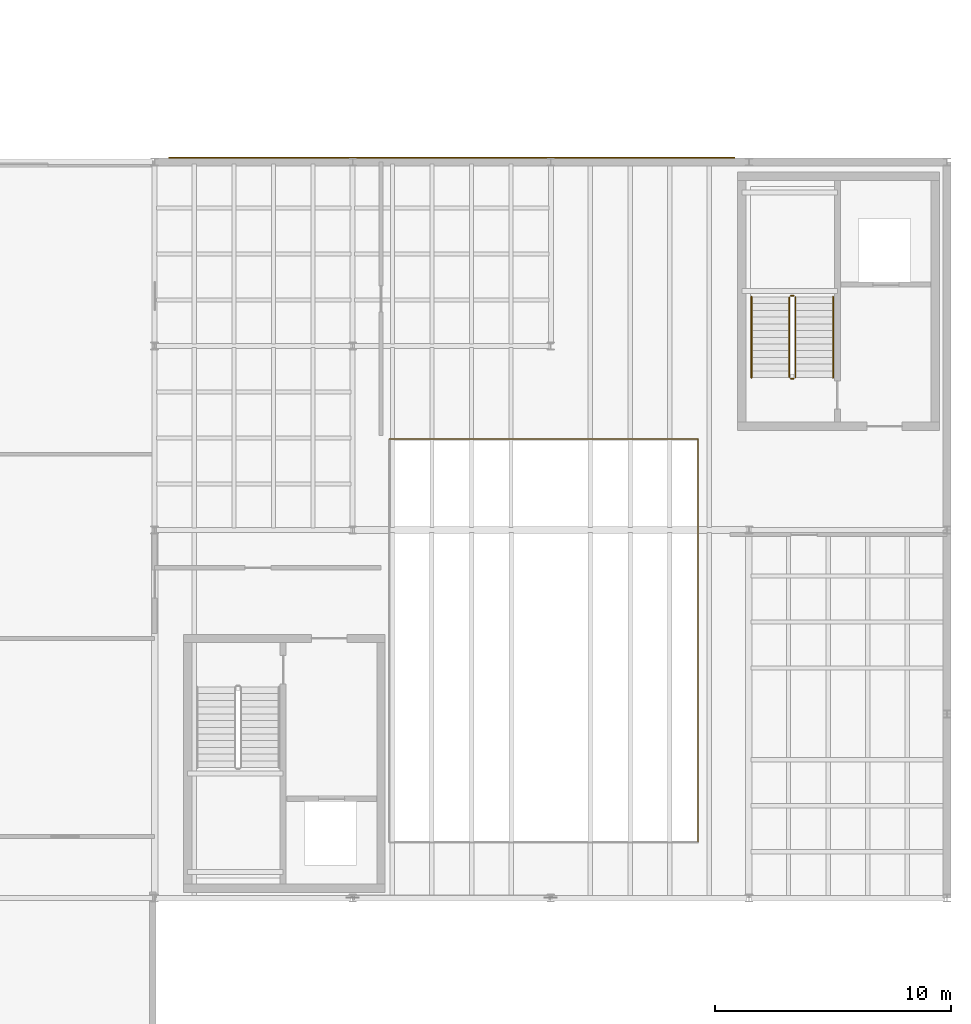
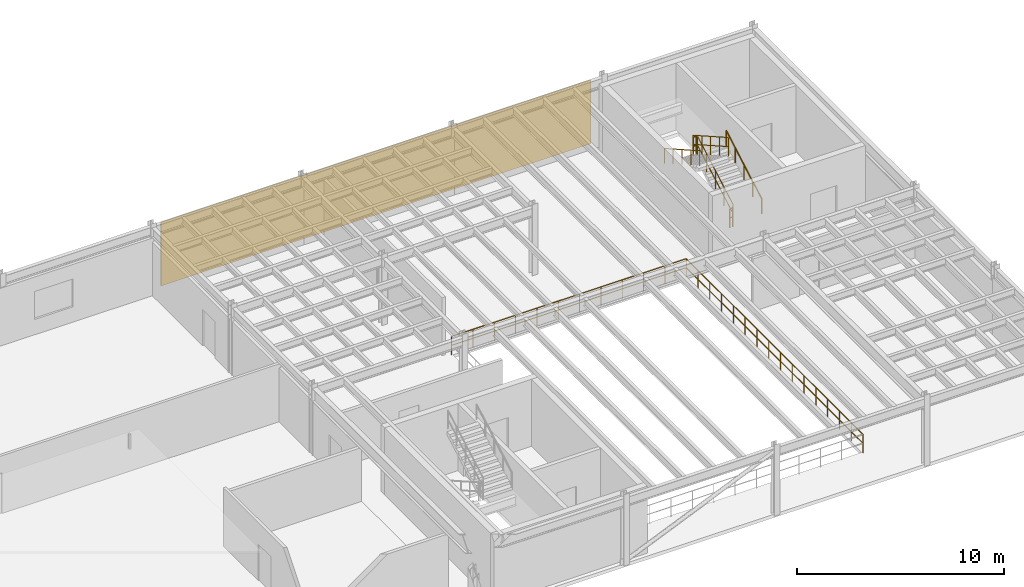
# One storey, part 26 of 26: 8 railings, 1 covering.
"""IFC4 building model written with IfcOpenShell, lengths in metres."""

import ifcopenshell
import ifcopenshell.guid

model = None  # the IFC model being written
_history = None  # IfcOwnerHistory: only IFC2X3 demands one
_inside = {}  # id of a spatial element -> (the spatial element, [elements in it])
_under = {}  # id of a project, library or spatial element -> (it, [spatial elements below it])
_declared = {}  # id of a project -> (the project, [libraries it declares])
_typed = {}  # id of a type object -> (the type object, [elements of that type])
_made_of = {}  # id of a material, layer set ... -> (it, [elements and type objects made of it])


def new_model(schema):
    """Start an empty IFC model of exactly this schema.

    Asked for "IFC4X3", IfcOpenShell would pick the latest addendum, in which some entities
    have other attributes; the version numbers below select the first issue.
    IFC2X3 requires an IfcOwnerHistory on every rooted entity: one is made here for all.
    """
    global model, _history
    if schema == "IFC4X3":
        model = ifcopenshell.file(schema_version=(4, 3, 0, 0))
    else:
        model = ifcopenshell.file(schema=schema)
    _inside.clear()
    _under.clear()
    _declared.clear()
    _typed.clear()
    _made_of.clear()
    _history = None
    if model.schema == "IFC2X3":
        org = make("IfcOrganization", Name="unknown")
        user = make(
            "IfcPersonAndOrganization",
            ThePerson=make("IfcPerson", FamilyName="unknown"),
            TheOrganization=org,
        )
        app = make(
            "IfcApplication",
            ApplicationDeveloper=org,
            Version="unknown",
            ApplicationFullName="unknown",
            ApplicationIdentifier="unknown",
        )
        _history = make(
            "IfcOwnerHistory",
            OwningUser=user,
            OwningApplication=app,
            ChangeAction="ADDED",
            CreationDate=0,
        )
    return model


def make(cls, **values):
    """One entity of the class cls with the attributes given. An attribute that is None is left unset."""
    return model.create_entity(
        cls, **{name: value for name, value in values.items() if value is not None}
    )


def rooted(cls, **values):
    """An entity with a GlobalId (a new one), such as an element, a storey or a relation."""
    return make(cls, GlobalId=ifcopenshell.guid.new(), OwnerHistory=_history, **values)


def si_unit(unit_type, name, prefix=None):
    """IfcSIUnit, for example si_unit("LENGTHUNIT", "METRE", prefix="MILLI")."""
    return make("IfcSIUnit", UnitType=unit_type, Prefix=prefix, Name=name)


def assignment(units):
    """IfcUnitAssignment: the units of a project."""
    return None if units is None else make("IfcUnitAssignment", Units=units)


def point(xyz):
    """IfcCartesianPoint."""
    return None if xyz is None else make("IfcCartesianPoint", Coordinates=xyz)


def direction(xyz):
    """IfcDirection."""
    return None if xyz is None else make("IfcDirection", DirectionRatios=xyz)


def frame(location, z_axis=None, x_axis=None):
    """IfcAxis2Placement3D, a coordinate frame: its origin and axes. An axis left out is left unset."""
    return make(
        "IfcAxis2Placement3D",
        Location=point(location),
        Axis=direction(z_axis),
        RefDirection=direction(x_axis),
    )


def frame_2d(location, x_axis=None):
    """IfcAxis2Placement2D, a coordinate frame in the plane: its origin and x axis."""
    return make(
        "IfcAxis2Placement2D", Location=point(location), RefDirection=direction(x_axis)
    )


def origin():
    """The frame at (0, 0, 0) with its axes left unset."""
    return frame((0.0, 0.0, 0.0))


def origin_2d():
    """The frame at (0, 0) in the plane with its x axis left unset."""
    return frame_2d((0.0, 0.0))


def place(relative_to, where):
    """IfcLocalPlacement: puts the frame where relative to a parent placement (None: the world)."""
    return make(
        "IfcLocalPlacement", PlacementRelTo=relative_to, RelativePlacement=where
    )


def context(
    kind, dimensions, precision=None, world=None, true_north=None, identifier=None
):
    """IfcGeometricRepresentationContext, for example the 3D "Model" context."""
    return make(
        "IfcGeometricRepresentationContext",
        ContextIdentifier=identifier,
        ContextType=kind,
        CoordinateSpaceDimension=dimensions,
        Precision=precision,
        WorldCoordinateSystem=world,
        TrueNorth=true_north,
    )


def subcontext(parent, identifier, kind, view, scale=None):
    """IfcGeometricRepresentationSubContext, for example "Body" below "Model"."""
    return make(
        "IfcGeometricRepresentationSubContext",
        ContextIdentifier=identifier,
        ContextType=kind,
        ParentContext=parent,
        TargetScale=scale,
        TargetView=view,
    )


def project(units=None, contexts=None):
    """IfcProject with its units and contexts."""
    return rooted(
        "IfcProject",
        Name="project",
        RepresentationContexts=contexts,
        UnitsInContext=assignment(units),
    )


def spatial(cls, under=None, at=None, **own):
    """A site, building, storey or space (cls), placed at a placement, below another one or the project."""
    s = rooted(cls, ObjectPlacement=at, **own)
    if under is not None:
        _under.setdefault(under.id(), (under, []))[1].append(s)
    return s


def polyline(points):
    """IfcPolyline through the points."""
    return make("IfcPolyline", Points=[point(p) for p in points])


def profile(cls, at=None, kind="AREA", **sizes):
    """A parametric profile (cls). Its sizes go by their IFC names, for example OverallWidth=200.0."""
    return make(cls, ProfileType=kind, Position=at, **sizes)


def circle(**sizes):
    """IfcCircleProfileDef."""
    return profile("IfcCircleProfileDef", **sizes)


def outline(outer, holes=None, kind="AREA"):
    """IfcArbitraryClosedProfileDef: a profile drawn as a closed curve; with holes, ...WithVoids."""
    if holes is None:
        return make("IfcArbitraryClosedProfileDef", ProfileType=kind, OuterCurve=outer)
    return make(
        "IfcArbitraryProfileDefWithVoids",
        ProfileType=kind,
        OuterCurve=outer,
        InnerCurves=holes,
    )


def extrude(swept, where, along, depth):
    """IfcExtrudedAreaSolid: the profile swept, set in the frame where, extruded along a direction by depth."""
    return make(
        "IfcExtrudedAreaSolid",
        SweptArea=swept,
        Position=where,
        ExtrudedDirection=direction(along),
        Depth=depth,
    )


def shape(context_of_items, identifier, shape_type, items):
    """IfcShapeRepresentation: the items that make up one representation, for example the "Body"."""
    return make(
        "IfcShapeRepresentation",
        ContextOfItems=context_of_items,
        RepresentationIdentifier=identifier,
        RepresentationType=shape_type,
        Items=items,
    )


def material(Name=None, Category=None):
    """IfcMaterial."""
    return make("IfcMaterial", Name=Name, Category=Category)


def layer(
    of_material, thickness, ventilated=None, Name=None, Category=None, Priority=None
):
    """IfcMaterialLayer: one layer of a wall or slab, of a material (None: an air gap)."""
    return make(
        "IfcMaterialLayer",
        Material=of_material,
        LayerThickness=thickness,
        IsVentilated=ventilated,
        Name=Name,
        Category=Category,
        Priority=Priority,
    )


def layer_set(layers, Name=None):
    """IfcMaterialLayerSet."""
    return make("IfcMaterialLayerSet", MaterialLayers=layers, LayerSetName=Name)


def made_of(thing, what):
    """Note that an element or type object is made of a material, layer set ...; save() writes the relation."""
    if what is not None:
        _made_of.setdefault(what.id(), (what, []))[1].append(thing)
    return thing


def type_object(cls, material=None, **own):
    """A type object (cls), such as IfcWallType, which elements share."""
    return made_of(rooted(cls, **own), material)


def element(
    cls,
    number,
    at=None,
    inside=None,
    cuts=None,
    type_object=None,
    material=None,
    context=None,
    identifier="Body",
    shape_type=None,
    held_by="IfcProductDefinitionShape",
    body=None,
    shapes=None,
    **own,
):
    """One element of the class cls, such as IfcWall. Its Tag is "e" and its number.

    at: its placement. inside: the storey or other place that contains it. cuts: it is an
    opening in that element (IfcRelVoidsElement). A single representation is given by context,
    identifier, shape_type and body (its items); several are given by shapes. held_by: the class
    of the entity that holds the representations. save() writes the other relations.
    """
    e = rooted(cls, Tag="e%d" % number, ObjectPlacement=at, **own)
    if body is not None:
        shapes = [shape(context, identifier, shape_type, body)]
    if shapes is not None:
        e.Representation = make(held_by, Representations=shapes)
    if inside is not None:
        _inside.setdefault(inside.id(), (inside, []))[1].append(e)
    if cuts is not None:
        rooted(
            "IfcRelVoidsElement", RelatingBuildingElement=cuts, RelatedOpeningElement=e
        )
    if type_object is not None:
        _typed.setdefault(type_object.id(), (type_object, []))[1].append(e)
    return made_of(e, material)


def aggregate(whole, parts):
    """IfcRelAggregates: a whole, such as a stair, and the parts it consists of."""
    return rooted("IfcRelAggregates", RelatingObject=whole, RelatedObjects=parts)


def save(model, path):
    """Write the relations noted so far, then the file.

    IfcRelAggregates (storeys below a building ...), IfcRelContainedInSpatialStructure (elements
    in a storey), IfcRelDefinesByType, IfcRelAssociatesMaterial and IfcRelDeclares: one each for
    every whole, place, type object, material and project.
    """
    for whole, parts in _under.values():
        aggregate(whole, parts)
    for where, things in _inside.values():
        rooted(
            "IfcRelContainedInSpatialStructure",
            RelatedElements=things,
            RelatingStructure=where,
        )
    for kind, things in _typed.values():
        rooted("IfcRelDefinesByType", RelatedObjects=things, RelatingType=kind)
    for what, things in _made_of.values():
        rooted("IfcRelAssociatesMaterial", RelatedObjects=things, RelatingMaterial=what)
    for by, libraries in _declared.values():
        rooted("IfcRelDeclares", RelatingContext=by, RelatedDefinitions=libraries)
    model.write(path)


model = new_model("IFC4")

# Units and contexts
model_context = context("Model", 3, precision=1e-05, world=origin(), true_north=direction((0.0, 1.0)))
body_context = subcontext(model_context, "Body", "Model", "MODEL_VIEW")
ifc_project = project(units=[si_unit("LENGTHUNIT", "METRE"), si_unit("AREAUNIT", "SQUARE_METRE"), si_unit("VOLUMEUNIT", "CUBIC_METRE"), si_unit("PLANEANGLEUNIT", "RADIAN"), si_unit("MASSUNIT", "GRAM", prefix="KILO")], contexts=[model_context])

# Site, building, storey
site_placement = place(None, origin())
site = spatial("IfcSite", under=ifc_project, at=site_placement, CompositionType="ELEMENT")
building_placement = place(site_placement, origin())
building = spatial("IfcBuilding", under=site, at=building_placement, Name="Selat Folded Stagehouse", CompositionType="ELEMENT")
storey_placement = place(building_placement, frame((0.0, 0.0, 23.39990234375)))
storey = spatial("IfcBuildingStorey", under=building, at=storey_placement, Name="L05", CompositionType="ELEMENT", Elevation=23.39990234375)

# Covering
ifc_material_1 = material(Name="Perforated bronze-anodised aluminium rainscreen", Category="aluminium")
ifc_layer_1 = layer(ifc_material_1, 0.044921875)
ifc_layer_set_1 = layer_set([ifc_layer_1], Name="Perforated bronze-anodised aluminium rainscreen")
covering_type = type_object("IfcCoveringType", Name="COV-CLAD-45B", PredefinedType="CLADDING", material=ifc_layer_set_1)
covering_placement = place(storey_placement, frame((0.0, 0.0, 0.10009765625)))
element("IfcCovering", 1, at=covering_placement, inside=storey, type_object=covering_type, Name="L05 fly-tower bronze rainscreen cladding 05", PredefinedType="CLADDING", context=body_context, shape_type="SweptSolid", body=[
    extrude(outline(polyline([(34.199951171875, 54.762451171875), (58.199951171875, 54.762451171875), (58.199951171875, 54.8076171875), (34.199951171875, 54.8076171875), (34.199951171875, 54.762451171875)])), origin(), (0.0, 0.0, 1.0), 3.75),
])

# Railings
ifc_material_2 = material(Name="Bronze-anodised steel balustrade", Category="steel")
ifc_layer_2 = layer(ifc_material_2, 0.06494140625)
ifc_layer_set_2 = layer_set([ifc_layer_2], Name="Bronze-anodised steel balustrade")
railing_type_1 = type_object("IfcRailingType", Name="RLG-BAL-1120", PredefinedType="BALUSTRADE", material=ifc_layer_set_2)
railing_1_placement = place(storey_placement, frame((60.77001953125, 45.4599609375, 0.16162109375)))
element("IfcRailing", 2, at=railing_1_placement, inside=storey, type_object=railing_type_1, Name="L05 ST-02 stair well guard 1", PredefinedType="BALUSTRADE", context=body_context, shape_type="SweptSolid", body=[
    extrude(circle(Radius=0.02392578125, at=origin_2d()), frame((0.0, 0.0, 1.09619140625), z_axis=(0.0, 0.869965350696, 0.493112855834), x_axis=(-1.0, 0.0, 0.0)), (0.0, 0.0, 1.0), 3.93115234375),
    extrude(circle(Radius=0.02392578125, at=origin_2d()), frame((0.0, 0.0, 0.56005859375), z_axis=(0.0, 0.869965350696, 0.493112855834), x_axis=(-1.0, 0.0, 0.0)), (0.0, 0.0, 1.0), 3.93115234375),
    extrude(circle(Radius=0.02099609375, at=origin_2d()), origin(), (0.0, 0.0, 1.0), 1.072021484375),
    extrude(circle(Radius=0.02099609375, at=origin_2d()), frame((0.0, 0.85498046875, 0.484619140625)), (0.0, 0.0, 1.0), 1.072021484375),
    extrude(circle(Radius=0.02099609375, at=origin_2d()), frame((0.0, 1.7099609375, 0.96923828125)), (0.0, 0.0, 1.0), 1.072021484375),
    extrude(circle(Radius=0.02099609375, at=origin_2d()), frame((0.0, 2.56494140625, 1.453857421875)), (0.0, 0.0, 1.0), 1.072021484375),
    extrude(circle(Radius=0.02099609375, at=origin_2d()), frame((0.0, 3.419921875, 1.9384765625)), (0.0, 0.0, 1.0), 1.072021484375),
])
railing_2_placement = place(storey_placement, frame((60.719970703125, 48.929931640625, 2.10009765625)))
element("IfcRailing", 3, at=railing_2_placement, inside=storey, type_object=railing_type_1, Name="L05 ST-02 stair well guard 2", PredefinedType="BALUSTRADE", context=body_context, shape_type="SweptSolid", body=[
    extrude(circle(Radius=0.02392578125, at=origin_2d()), frame((0.0, 0.0, 1.09619140625), z_axis=(-1.0, 0.0, 0.0), x_axis=(0.0, -1.0, 0.0)), (0.0, 0.0, 1.0), 0.159912109375),
    extrude(circle(Radius=0.02392578125, at=origin_2d()), frame((0.0, 0.0, 0.56005859375), z_axis=(-1.0, 0.0, 0.0), x_axis=(0.0, -1.0, 0.0)), (0.0, 0.0, 1.0), 0.159912109375),
    extrude(circle(Radius=0.02099609375, at=origin_2d()), origin(), (0.0, 0.0, 1.0), 1.072021484375),
    extrude(circle(Radius=0.02099609375, at=origin_2d()), frame((-0.159912109375, 0.0, 0.0)), (0.0, 0.0, 1.0), 1.072021484375),
])
railing_3_placement = place(storey_placement, frame((60.510009765625, 48.8798828125, 2.26171875)))
element("IfcRailing", 4, at=railing_3_placement, inside=storey, type_object=railing_type_1, Name="L05 ST-02 stair well guard 3", PredefinedType="BALUSTRADE", context=body_context, shape_type="SweptSolid", body=[
    extrude(circle(Radius=0.02392578125, at=origin_2d()), frame((0.0, 0.0, 1.09619140625), z_axis=(0.0, -0.869965350696, 0.493112855834), x_axis=(1.0, 0.0, 0.0)), (0.0, 0.0, 1.0), 3.93115234375),
    extrude(circle(Radius=0.02392578125, at=origin_2d()), frame((0.0, 0.0, 0.56005859375), z_axis=(0.0, -0.869965350696, 0.493112855834), x_axis=(1.0, 0.0, 0.0)), (0.0, 0.0, 1.0), 3.93115234375),
    extrude(circle(Radius=0.02099609375, at=origin_2d()), origin(), (0.0, 0.0, 1.0), 1.072021484375),
    extrude(circle(Radius=0.02099609375, at=origin_2d()), frame((0.0, -0.85498046875, 0.484619140625)), (0.0, 0.0, 1.0), 1.072021484375),
    extrude(circle(Radius=0.02099609375, at=origin_2d()), frame((0.0, -1.7099609375, 0.96923828125)), (0.0, 0.0, 1.0), 1.072021484375),
    extrude(circle(Radius=0.02099609375, at=origin_2d()), frame((0.0, -2.56494140625, 1.453857421875)), (0.0, 0.0, 1.0), 1.072021484375),
    extrude(circle(Radius=0.02099609375, at=origin_2d()), frame((0.0, -3.419921875, 1.9384765625)), (0.0, 0.0, 1.0), 1.072021484375),
])
railing_4_placement = place(storey_placement, frame((60.719970703125, 45.409912109375, 0.0)))
element("IfcRailing", 5, at=railing_4_placement, inside=storey, type_object=railing_type_1, Name="L05 ST-02 stair well guard 4", PredefinedType="BALUSTRADE", context=body_context, shape_type="SweptSolid", body=[
    extrude(circle(Radius=0.02392578125, at=origin_2d()), frame((0.0, 0.0, 1.09619140625), z_axis=(-1.0, 0.0, 0.0), x_axis=(0.0, -1.0, 0.0)), (0.0, 0.0, 1.0), 0.159912109375),
    extrude(circle(Radius=0.02392578125, at=origin_2d()), frame((0.0, 0.0, 0.56005859375), z_axis=(-1.0, 0.0, 0.0), x_axis=(0.0, -1.0, 0.0)), (0.0, 0.0, 1.0), 0.159912109375),
    extrude(circle(Radius=0.02099609375, at=origin_2d()), origin(), (0.0, 0.0, 1.0), 1.072021484375),
    extrude(circle(Radius=0.02099609375, at=origin_2d()), frame((-0.159912109375, 0.0, 0.0)), (0.0, 0.0, 1.0), 1.072021484375),
])
ifc_material_3 = material(Name="Stainless steel and laminated glass", Category="steel")
ifc_layer_3 = layer(ifc_material_3, 0.06005859375)
ifc_layer_set_3 = layer_set([ifc_layer_3], Name="Stainless steel and laminated glass")
railing_type_2 = type_object("IfcRailingType", Name="RLG-GUARD-1100", PredefinedType="GUARDRAIL", material=ifc_layer_set_3)
railing_5_placement = place(storey_placement, frame((56.64990234375, 25.75, 0.0)))
element("IfcRailing", 6, at=railing_5_placement, inside=storey, type_object=railing_type_2, Name="L05 protective guard railing 071", PredefinedType="GUARDRAIL", context=body_context, shape_type="SweptSolid", body=[
    extrude(circle(Radius=0.02392578125, at=origin_2d()), frame((0.0, 0.0, 1.076171875), z_axis=(0.0, 1.0, 0.0), x_axis=(-1.0, 0.0, 0.0)), (0.0, 0.0, 1.0), 17.10009765625),
    extrude(circle(Radius=0.02392578125, at=origin_2d()), frame((0.0, 0.0, 0.550048828125), z_axis=(0.0, 1.0, 0.0), x_axis=(-1.0, 0.0, 0.0)), (0.0, 0.0, 1.0), 17.10009765625),
    extrude(circle(Radius=0.02099609375, at=origin_2d()), origin(), (0.0, 0.0, 1.0), 1.052001953125),
    extrude(circle(Radius=0.02099609375, at=origin_2d()), frame((0.0, 1.139892578125, 0.0)), (0.0, 0.0, 1.0), 1.052001953125),
    extrude(circle(Radius=0.02099609375, at=origin_2d()), frame((0.0, 2.280029296875, 0.0)), (0.0, 0.0, 1.0), 1.052001953125),
    extrude(circle(Radius=0.02099609375, at=origin_2d()), frame((0.0, 3.419921875, 0.0)), (0.0, 0.0, 1.0), 1.052001953125),
    extrude(circle(Radius=0.02099609375, at=origin_2d()), frame((0.0, 4.56005859375, 0.0)), (0.0, 0.0, 1.0), 1.052001953125),
    extrude(circle(Radius=0.02099609375, at=origin_2d()), frame((0.0, 5.699951171875, 0.0)), (0.0, 0.0, 1.0), 1.052001953125),
    extrude(circle(Radius=0.02099609375, at=origin_2d()), frame((0.0, 6.840087890625, 0.0)), (0.0, 0.0, 1.0), 1.052001953125),
    extrude(circle(Radius=0.02099609375, at=origin_2d()), frame((0.0, 7.97998046875, 0.0)), (0.0, 0.0, 1.0), 1.052001953125),
    extrude(circle(Radius=0.02099609375, at=origin_2d()), frame((0.0, 9.1201171875, 0.0)), (0.0, 0.0, 1.0), 1.052001953125),
    extrude(circle(Radius=0.02099609375, at=origin_2d()), frame((0.0, 10.260009765625, 0.0)), (0.0, 0.0, 1.0), 1.052001953125),
    extrude(circle(Radius=0.02099609375, at=origin_2d()), frame((0.0, 11.400146484375, 0.0)), (0.0, 0.0, 1.0), 1.052001953125),
    extrude(circle(Radius=0.02099609375, at=origin_2d()), frame((0.0, 12.5400390625, 0.0)), (0.0, 0.0, 1.0), 1.052001953125),
    extrude(circle(Radius=0.02099609375, at=origin_2d()), frame((0.0, 13.68017578125, 0.0)), (0.0, 0.0, 1.0), 1.052001953125),
    extrude(circle(Radius=0.02099609375, at=origin_2d()), frame((0.0, 14.820068359375, 0.0)), (0.0, 0.0, 1.0), 1.052001953125),
    extrude(circle(Radius=0.02099609375, at=origin_2d()), frame((0.0, 15.960205078125, 0.0)), (0.0, 0.0, 1.0), 1.052001953125),
    extrude(circle(Radius=0.02099609375, at=origin_2d()), frame((0.0, 17.10009765625, 0.0)), (0.0, 0.0, 1.0), 1.052001953125),
])
railing_6_placement = place(storey_placement, frame((56.64990234375, 42.85009765625, 0.0)))
element("IfcRailing", 7, at=railing_6_placement, inside=storey, type_object=railing_type_2, Name="L05 protective guard railing 072", PredefinedType="GUARDRAIL", context=body_context, shape_type="SweptSolid", body=[
    extrude(circle(Radius=0.02392578125, at=origin_2d()), frame((0.0, 0.0, 1.076171875), z_axis=(-1.0, 0.0, 0.0), x_axis=(0.0, -1.0, 0.0)), (0.0, 0.0, 1.0), 13.099853515625),
    extrude(circle(Radius=0.02392578125, at=origin_2d()), frame((0.0, 0.0, 0.550048828125), z_axis=(-1.0, 0.0, 0.0), x_axis=(0.0, -1.0, 0.0)), (0.0, 0.0, 1.0), 13.099853515625),
    extrude(circle(Radius=0.02099609375, at=origin_2d()), origin(), (0.0, 0.0, 1.0), 1.052001953125),
    extrude(circle(Radius=0.02099609375, at=origin_2d()), frame((-1.19091796875, 0.0, 0.0)), (0.0, 0.0, 1.0), 1.052001953125),
    extrude(circle(Radius=0.02099609375, at=origin_2d()), frame((-2.3818359375, 0.0, 0.0)), (0.0, 0.0, 1.0), 1.052001953125),
    extrude(circle(Radius=0.02099609375, at=origin_2d()), frame((-3.57275390625, 0.0, 0.0)), (0.0, 0.0, 1.0), 1.052001953125),
    extrude(circle(Radius=0.02099609375, at=origin_2d()), frame((-4.763671875, 0.0, 0.0)), (0.0, 0.0, 1.0), 1.052001953125),
    extrude(circle(Radius=0.02099609375, at=origin_2d()), frame((-5.95458984375, 0.0, 0.0)), (0.0, 0.0, 1.0), 1.052001953125),
    extrude(circle(Radius=0.02099609375, at=origin_2d()), frame((-7.145263671875, 0.0, 0.0)), (0.0, 0.0, 1.0), 1.052001953125),
    extrude(circle(Radius=0.02099609375, at=origin_2d()), frame((-8.336181640625, 0.0, 0.0)), (0.0, 0.0, 1.0), 1.052001953125),
    extrude(circle(Radius=0.02099609375, at=origin_2d()), frame((-9.527099609375, 0.0, 0.0)), (0.0, 0.0, 1.0), 1.052001953125),
    extrude(circle(Radius=0.02099609375, at=origin_2d()), frame((-10.718017578125, 0.0, 0.0)), (0.0, 0.0, 1.0), 1.052001953125),
    extrude(circle(Radius=0.02099609375, at=origin_2d()), frame((-11.908935546875, 0.0, 0.0)), (0.0, 0.0, 1.0), 1.052001953125),
    extrude(circle(Radius=0.02099609375, at=origin_2d()), frame((-13.099853515625, 0.0, 0.0)), (0.0, 0.0, 1.0), 1.052001953125),
])
ifc_material_4 = material(Name="Brushed stainless steel 1.4301", Category="steel")
ifc_layer_4 = layer(ifc_material_4, 0.048095703125)
ifc_layer_set_4 = layer_set([ifc_layer_4], Name="Brushed stainless steel 1.4301")
railing_type_3 = type_object("IfcRailingType", Name="RLG-HANDRAIL-900", PredefinedType="HANDRAIL", material=ifc_layer_set_4)
railing_7_placement = place(storey_placement, frame((62.3701171875, 45.4599609375, 0.16162109375)))
element("IfcRailing", 8, at=railing_7_placement, inside=storey, type_object=railing_type_3, Name="L05 ST-02 wall handrail 1", PredefinedType="HANDRAIL", context=body_context, shape_type="SweptSolid", body=[
    extrude(circle(Radius=0.02392578125, at=origin_2d()), frame((0.0, 0.0, 0.8759765625), z_axis=(0.0, 0.869965350696, 0.493112855834), x_axis=(-1.0, 0.0, 0.0)), (0.0, 0.0, 1.0), 3.93115234375),
    extrude(circle(Radius=0.02099609375, at=origin_2d()), origin(), (0.0, 0.0, 1.0), 0.851806640625),
    extrude(circle(Radius=0.02099609375, at=origin_2d()), frame((0.0, 0.85498046875, 0.484619140625)), (0.0, 0.0, 1.0), 0.851806640625),
    extrude(circle(Radius=0.02099609375, at=origin_2d()), frame((0.0, 1.7099609375, 0.96923828125)), (0.0, 0.0, 1.0), 0.851806640625),
    extrude(circle(Radius=0.02099609375, at=origin_2d()), frame((0.0, 2.56494140625, 1.453857421875)), (0.0, 0.0, 1.0), 0.851806640625),
    extrude(circle(Radius=0.02099609375, at=origin_2d()), frame((0.0, 3.419921875, 1.9384765625)), (0.0, 0.0, 1.0), 0.851806640625),
])
railing_8_placement = place(storey_placement, frame((58.909912109375, 48.8798828125, 2.26171875)))
element("IfcRailing", 9, at=railing_8_placement, inside=storey, type_object=railing_type_3, Name="L05 ST-02 wall handrail 2", PredefinedType="HANDRAIL", context=body_context, shape_type="SweptSolid", body=[
    extrude(circle(Radius=0.02392578125, at=origin_2d()), frame((0.0, 0.0, 0.8759765625), z_axis=(0.0, -0.869965350696, 0.493112855834), x_axis=(1.0, 0.0, 0.0)), (0.0, 0.0, 1.0), 3.93115234375),
    extrude(circle(Radius=0.02099609375, at=origin_2d()), origin(), (0.0, 0.0, 1.0), 0.851806640625),
    extrude(circle(Radius=0.02099609375, at=origin_2d()), frame((0.0, -0.85498046875, 0.484619140625)), (0.0, 0.0, 1.0), 0.851806640625),
    extrude(circle(Radius=0.02099609375, at=origin_2d()), frame((0.0, -1.7099609375, 0.96923828125)), (0.0, 0.0, 1.0), 0.851806640625),
    extrude(circle(Radius=0.02099609375, at=origin_2d()), frame((0.0, -2.56494140625, 1.453857421875)), (0.0, 0.0, 1.0), 0.851806640625),
    extrude(circle(Radius=0.02099609375, at=origin_2d()), frame((0.0, -3.419921875, 1.9384765625)), (0.0, 0.0, 1.0), 0.851806640625),
])

save(model, "model.ifc")
